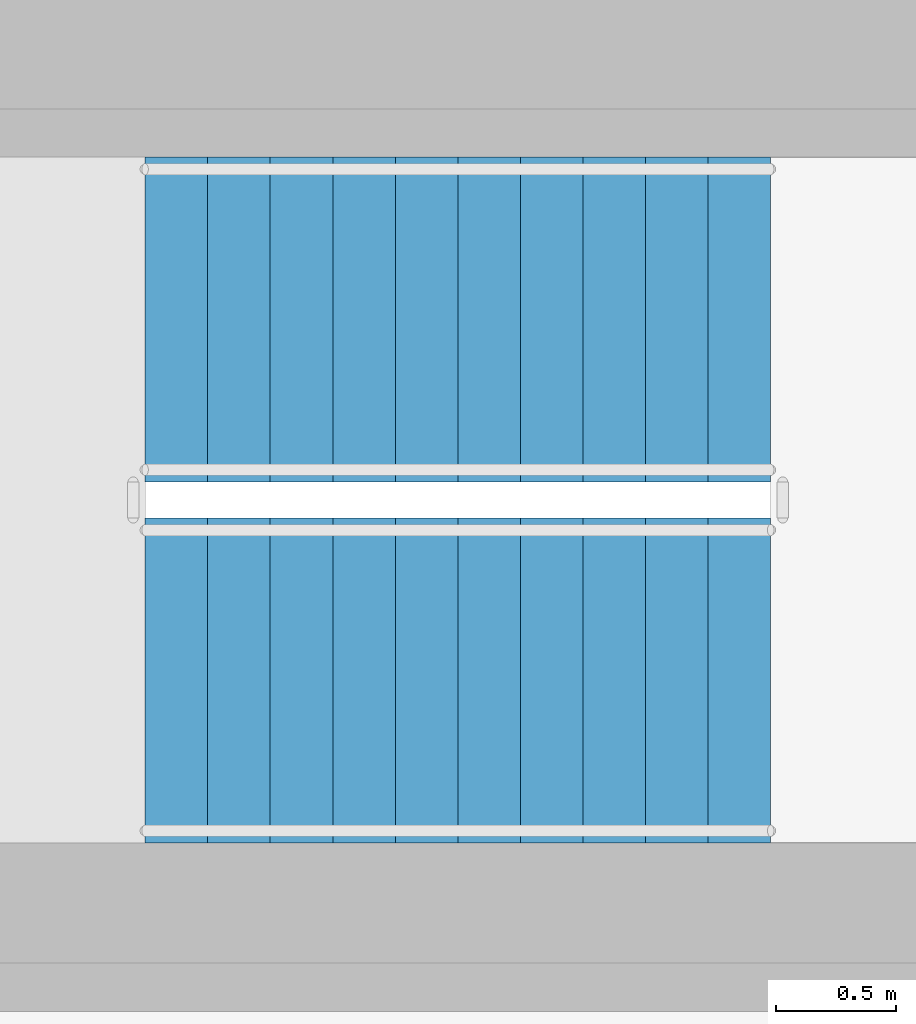
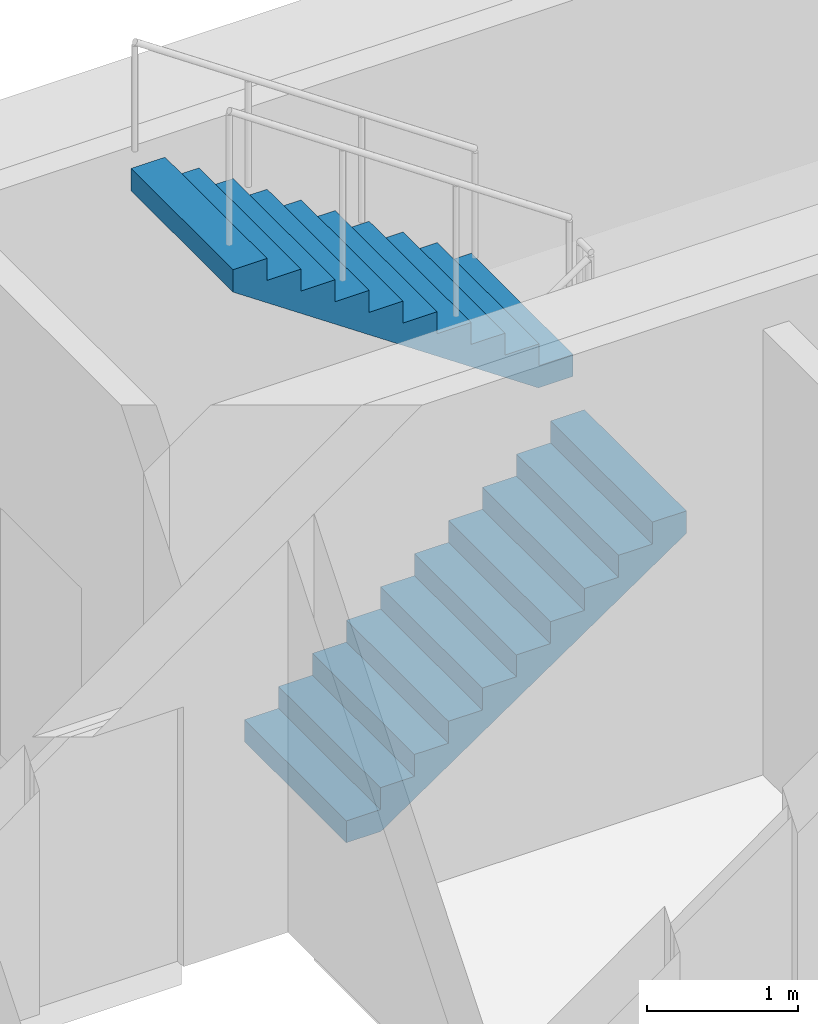
# One storey, part 6 of 8: 2 stair flights, 1 element without a shape of its own.
"""IFC4 building model written with IfcOpenShell, lengths in metres."""

from ifc_helpers import new_model, si_unit, direction, frame, origin, place, context, subcontext, project, spatial, polyline, outline, extrude, material, layer, layer_set, type_object, element, aggregate, save


model = new_model("IFC4")

# Units and contexts
model_context = context("Model", 3, precision=1e-05, world=origin(), true_north=direction((0.0, 1.0)))
body_context = subcontext(model_context, "Body", "Model", "MODEL_VIEW")
ifc_project = project(units=[si_unit("LENGTHUNIT", "METRE"), si_unit("AREAUNIT", "SQUARE_METRE"), si_unit("VOLUMEUNIT", "CUBIC_METRE"), si_unit("PLANEANGLEUNIT", "RADIAN"), si_unit("MASSUNIT", "GRAM", prefix="KILO")], contexts=[model_context])

# Site, building, storey
site_placement = place(None, origin())
site = spatial("IfcSite", under=ifc_project, at=site_placement, CompositionType="ELEMENT")
building_placement = place(site_placement, origin())
building = spatial("IfcBuilding", under=site, at=building_placement, Name="White Candle Pilgrim Tower", CompositionType="ELEMENT")
storey_placement = place(building_placement, frame((0.0, 0.0, 291.199951171875)))
storey = spatial("IfcBuildingStorey", under=building, at=storey_placement, Name="L69", CompositionType="ELEMENT", Elevation=291.199951171875)

# Stair, stair flights
ifc_material = material(Name="Concrete C40/50", Category="concrete")
stair_type = type_object("IfcStairType", Name="Exit stair 3 flight width 1350 mm", PredefinedType="HALF_TURN_STAIR", material=ifc_material)
stair_placement = place(storey_placement, origin())
stair = element("IfcStair", 1, at=stair_placement, inside=storey, type_object=stair_type, Name="L69 stair 3", PredefinedType="NOTDEFINED")
ifc_layer = layer(ifc_material, 0.14990234375)
ifc_layer_set = layer_set([ifc_layer], Name="Stair flight Concrete C40/50")
stair_flight_type = type_object("IfcStairFlightType", Name="Stair flight Concrete C40/50", PredefinedType="STRAIGHT", material=ifc_layer_set)
stair_flight_1_placement = place(storey_placement, frame((69.39990234375, 84.925048828125, 0.0), z_axis=(0.0, 0.0, 1.0), x_axis=(1.0, 0.0, 0.0)))
stair_flight_1 = element("IfcStairFlight", 2, at=stair_flight_1_placement, type_object=stair_flight_type, Name="ST3 flight 1", NumberOfRisers=11, NumberOfTreads=10, PredefinedType="NOTDEFINED", RiserHeight=0.177272727, TreadLength=0.26, context=body_context, shape_type="SweptSolid", body=[
    extrude(outline(polyline([(0.0, 0.0), (0.0, 0.17724609375), (0.260009765625, 0.17724609375), (0.260009765625, 0.3544921875), (0.52001953125, 0.3544921875), (0.52001953125, 0.53173828125), (0.780029296875, 0.53173828125), (0.780029296875, 0.708984375), (1.0400390625, 0.708984375), (1.0400390625, 0.886474609375), (1.300048828125, 0.886474609375), (1.300048828125, 1.063720703125), (1.56005859375, 1.063720703125), (1.56005859375, 1.240966796875), (1.820068359375, 1.240966796875), (1.820068359375, 1.418212890625), (2.080078125, 1.418212890625), (2.080078125, 1.595458984375), (2.340087890625, 1.595458984375), (2.340087890625, 1.772705078125), (2.60009765625, 1.772705078125), (2.60009765625, 1.949951171875), (2.60009765625, 1.59130859375), (0.26611328125, 0.0), (0.0, 0.0)])), frame((0.0, 0.675048828125, 0.0), z_axis=(0.0, -1.0, 0.0), x_axis=(1.0, 0.0, 0.0)), (0.0, 0.0, 1.0), 1.35009765625),
])
stair_flight_2_placement = place(storey_placement, frame((72.0, 86.425048828125, 1.949951171875), z_axis=(0.0, 0.0, 1.0), x_axis=(-1.0, 0.0, 0.0)))
stair_flight_2 = element("IfcStairFlight", 3, at=stair_flight_2_placement, type_object=stair_flight_type, Name="ST3 flight 2", NumberOfRisers=11, NumberOfTreads=10, PredefinedType="NOTDEFINED", RiserHeight=0.177272727, TreadLength=0.26, context=body_context, shape_type="SweptSolid", body=[
    extrude(outline(polyline([(0.0, 0.0), (0.0, 0.17724609375), (0.260009765625, 0.17724609375), (0.260009765625, 0.3544921875), (0.52001953125, 0.3544921875), (0.52001953125, 0.53173828125), (0.780029296875, 0.53173828125), (0.780029296875, 0.708984375), (1.0400390625, 0.708984375), (1.0400390625, 0.886474609375), (1.300048828125, 0.886474609375), (1.300048828125, 1.063720703125), (1.56005859375, 1.063720703125), (1.56005859375, 1.240966796875), (1.820068359375, 1.240966796875), (1.820068359375, 1.418212890625), (2.080078125, 1.418212890625), (2.080078125, 1.595458984375), (2.340087890625, 1.595458984375), (2.340087890625, 1.772705078125), (2.60009765625, 1.772705078125), (2.60009765625, 1.949951171875), (2.60009765625, 1.59130859375), (0.26611328125, 0.0), (0.0, 0.0)])), frame((0.0, 0.675048828125, 0.0), z_axis=(0.0, -1.0, 0.0), x_axis=(1.0, 0.0, 0.0)), (0.0, 0.0, 1.0), 1.35009765625),
])
aggregate(stair, [stair_flight_1, stair_flight_2])

save(model, "model.ifc")
